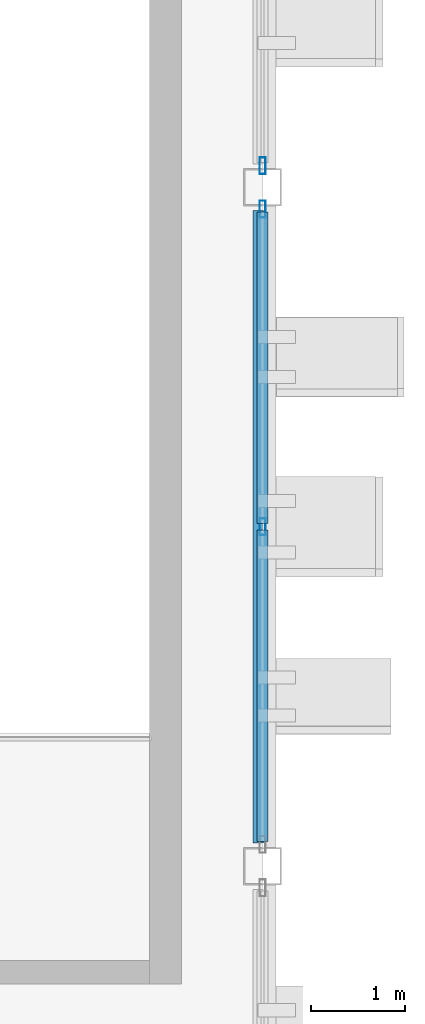
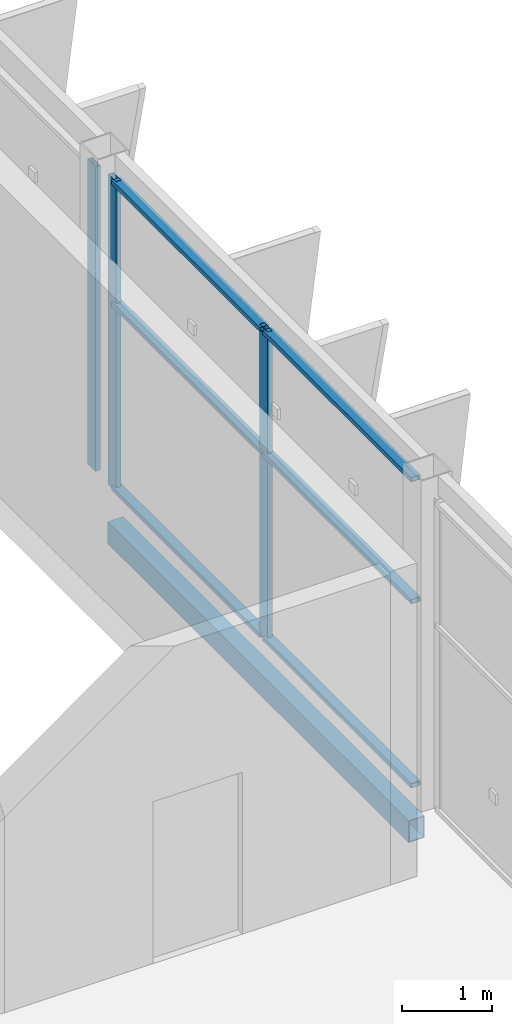
# One storey, part 85 of 151: 9 members, 1 beam, 2 elements without a shape of their own.
"""IFC4 building model written with IfcOpenShell, lengths in metres."""

from ifc_helpers import new_model, si_unit, direction, frame, origin, origin_2d, place, context, subcontext, project, spatial, hollow_rectangle, extrude, material, layer, layer_set, material_profile, profile_set, type_object, element, aggregate, save


model = new_model("IFC4")

# Units and contexts
model_context = context("Model", 3, precision=1e-05, world=origin(), true_north=direction((0.0, 1.0)))
body_context = subcontext(model_context, "Body", "Model", "MODEL_VIEW")
ifc_project = project(units=[si_unit("LENGTHUNIT", "METRE"), si_unit("AREAUNIT", "SQUARE_METRE"), si_unit("VOLUMEUNIT", "CUBIC_METRE"), si_unit("PLANEANGLEUNIT", "RADIAN"), si_unit("MASSUNIT", "GRAM", prefix="KILO")], contexts=[model_context])

# Site, building, storey
site_placement = place(None, origin())
site = spatial("IfcSite", under=ifc_project, at=site_placement, CompositionType="ELEMENT")
building_placement = place(site_placement, origin())
building = spatial("IfcBuilding", under=site, at=building_placement, Name="Celestram Park Convention Centre", CompositionType="ELEMENT")
storey_placement = place(building_placement, frame((0.0, 0.0, 10.800048828125)))
storey = spatial("IfcBuildingStorey", under=building, at=storey_placement, Name="L02", CompositionType="ELEMENT", Elevation=10.800048828125)

# Curtain wall, member
ifc_material_1 = material(Name="Anodised Aluminium Alloy 6063-T6", Category="aluminium")
ifc_layer_1 = layer(ifc_material_1, 0.179931640625)
ifc_layer_set_1 = layer_set([ifc_layer_1], Name="Anodised Aluminium Alloy 6063-T6")
curtain_wall_type_1 = type_object("IfcCurtainWallType", Name="ARC-CW-680X414", PredefinedType="NOTDEFINED", material=ifc_layer_set_1)
curtain_wall_1_placement = place(storey_placement, origin())
curtain_wall_1 = element("IfcCurtainWall", 1, at=curtain_wall_1_placement, inside=storey, type_object=curtain_wall_type_1, Name="Unitised curtain wall CU-L02-170", PredefinedType="NOTDEFINED")
ifc_material_profile_1 = material_profile(ifc_material_1, hollow_rectangle(XDim=0.06494140625, YDim=0.179931640625, WallThickness=0.00390625, at=origin_2d()), Name="ALU65X180X4")
ifc_profile_set_1 = profile_set([ifc_material_profile_1], Name="Anodised Aluminium Alloy 6063-T6")
member_type_1 = type_object("IfcMemberType", Name="ARC-CWM-150", PredefinedType="MULLION", material=ifc_profile_set_1)
member_1_placement = place(storey_placement, frame((216.0, 158.630615234375, 0.0), z_axis=(0.0, 0.0, 1.0), x_axis=(1.0, 0.0, 0.0)))
member_1 = element("IfcMember", 2, at=member_1_placement, type_object=member_type_1, Name="CW-68X41 mullion 3", PredefinedType="MULLION", context=body_context, shape_type="SweptSolid", body=[
    extrude(hollow_rectangle(XDim=0.06494140625, YDim=0.179931640625, WallThickness=0.00390625, at=origin_2d()), origin(), (0.0, 0.0, 1.0), 4.14404296875),
])
aggregate(curtain_wall_1, [member_1])

# Curtain wall, members
ifc_layer_2 = layer(ifc_material_1, 0.179931640625)
ifc_layer_set_2 = layer_set([ifc_layer_2], Name="Anodised Aluminium Alloy 6063-T6")
curtain_wall_type_2 = type_object("IfcCurtainWallType", Name="ARC-CW-680X422", PredefinedType="NOTDEFINED", material=ifc_layer_set_2)
curtain_wall_2_placement = place(storey_placement, origin())
curtain_wall_2 = element("IfcCurtainWall", 3, at=curtain_wall_2_placement, inside=storey, type_object=curtain_wall_type_2, Name="Unitised curtain wall CU-L02-171", PredefinedType="NOTDEFINED")
member_2_placement = place(storey_placement, frame((216.0, 158.16943359375, 0.0), z_axis=(0.0, 0.0, 1.0), x_axis=(1.0, 0.0, 0.0)))
member_2 = element("IfcMember", 4, at=member_2_placement, type_object=member_type_1, Name="CW-68X42 mullion 1", PredefinedType="MULLION", context=body_context, shape_type="SweptSolid", body=[
    extrude(hollow_rectangle(XDim=0.06494140625, YDim=0.179931640625, WallThickness=0.00390625, at=origin_2d()), origin(), (0.0, 0.0, 1.0), 4.219970703125),
])
member_3_placement = place(storey_placement, frame((216.0, 154.800048828125, 0.0), z_axis=(0.0, 0.0, 1.0), x_axis=(1.0, 0.0, 0.0)))
member_3 = element("IfcMember", 5, at=member_3_placement, type_object=member_type_1, Name="CW-68X42 mullion 2", PredefinedType="MULLION", context=body_context, shape_type="SweptSolid", body=[
    extrude(hollow_rectangle(XDim=0.06494140625, YDim=0.179931640625, WallThickness=0.00390625, at=origin_2d()), origin(), (0.0, 0.0, 1.0), 4.219970703125),
])
ifc_material_profile_2 = material_profile(ifc_material_1, hollow_rectangle(XDim=0.1201171875, YDim=0.06005859375, WallThickness=0.0029296875, at=origin_2d()), Name="ALU120X60X3")
ifc_profile_set_2 = profile_set([ifc_material_profile_2], Name="Anodised Aluminium Alloy 6063-T6")
member_type_2 = type_object("IfcMemberType", Name="ARC-CWT-120", PredefinedType="USERDEFINED", material=ifc_profile_set_2)
member_4_placement = place(storey_placement, frame((216.0, 158.136962890625, 0.030029296875), z_axis=(0.0, -1.0, 0.0), x_axis=(1.0, 0.0, 0.0)))
member_4 = element("IfcMember", 6, at=member_4_placement, type_object=member_type_2, Name="CW-68X42 transom 1.1", ObjectType="TRANSOM", PredefinedType="USERDEFINED", context=body_context, shape_type="SweptSolid", body=[
    extrude(hollow_rectangle(XDim=0.1201171875, YDim=0.06005859375, WallThickness=0.0029296875, at=origin_2d()), origin(), (0.0, 0.0, 1.0), 3.304443359375),
])
member_5_placement = place(storey_placement, frame((216.0, 158.136962890625, 2.531982421875), z_axis=(0.0, -1.0, 0.0), x_axis=(1.0, 0.0, 0.0)))
member_5 = element("IfcMember", 7, at=member_5_placement, type_object=member_type_2, Name="CW-68X42 transom 1.2", ObjectType="TRANSOM", PredefinedType="USERDEFINED", context=body_context, shape_type="SweptSolid", body=[
    extrude(hollow_rectangle(XDim=0.1201171875, YDim=0.06005859375, WallThickness=0.0029296875, at=origin_2d()), origin(), (0.0, 0.0, 1.0), 3.304443359375),
])
member_6_placement = place(storey_placement, frame((216.0, 158.136962890625, 4.18994140625), z_axis=(0.0, -1.0, 0.0), x_axis=(1.0, 0.0, 0.0)))
member_6 = element("IfcMember", 8, at=member_6_placement, type_object=member_type_2, Name="CW-68X42 transom 1.3", ObjectType="TRANSOM", PredefinedType="USERDEFINED", context=body_context, shape_type="SweptSolid", body=[
    extrude(hollow_rectangle(XDim=0.1201171875, YDim=0.06005859375, WallThickness=0.0029296875, at=origin_2d()), origin(), (0.0, 0.0, 1.0), 3.304443359375),
])
member_7_placement = place(storey_placement, frame((216.0, 154.767578125, 0.030029296875), z_axis=(0.0, -1.0, 0.0), x_axis=(1.0, 0.0, 0.0)))
member_7 = element("IfcMember", 9, at=member_7_placement, type_object=member_type_2, Name="CW-68X42 transom 2.1", ObjectType="TRANSOM", PredefinedType="USERDEFINED", context=body_context, shape_type="SweptSolid", body=[
    extrude(hollow_rectangle(XDim=0.1201171875, YDim=0.06005859375, WallThickness=0.0029296875, at=origin_2d()), origin(), (0.0, 0.0, 1.0), 3.3046875),
])
member_8_placement = place(storey_placement, frame((216.0, 154.767578125, 2.531982421875), z_axis=(0.0, -1.0, 0.0), x_axis=(1.0, 0.0, 0.0)))
member_8 = element("IfcMember", 10, at=member_8_placement, type_object=member_type_2, Name="CW-68X42 transom 2.2", ObjectType="TRANSOM", PredefinedType="USERDEFINED", context=body_context, shape_type="SweptSolid", body=[
    extrude(hollow_rectangle(XDim=0.1201171875, YDim=0.06005859375, WallThickness=0.0029296875, at=origin_2d()), origin(), (0.0, 0.0, 1.0), 3.3046875),
])
member_9_placement = place(storey_placement, frame((216.0, 154.767578125, 4.18994140625), z_axis=(0.0, -1.0, 0.0), x_axis=(1.0, 0.0, 0.0)))
member_9 = element("IfcMember", 11, at=member_9_placement, type_object=member_type_2, Name="CW-68X42 transom 2.3", ObjectType="TRANSOM", PredefinedType="USERDEFINED", context=body_context, shape_type="SweptSolid", body=[
    extrude(hollow_rectangle(XDim=0.1201171875, YDim=0.06005859375, WallThickness=0.0029296875, at=origin_2d()), origin(), (0.0, 0.0, 1.0), 3.3046875),
])
aggregate(curtain_wall_2, [member_2, member_3, member_4, member_5, member_6, member_7, member_8, member_9])

# Beam
ifc_material_2 = material(Name="Steel ASTM A500 Grade C", Category="steel")
ifc_material_profile_3 = material_profile(ifc_material_2, hollow_rectangle(XDim=0.199951171875, YDim=0.300048828125, WallThickness=0.011962890625, at=origin_2d()), Name="HSS300X200X12")
ifc_profile_set_3 = profile_set([ifc_material_profile_3], Name="Steel ASTM A500 Grade C")
beam_type = type_object("IfcBeamType", Name="STR-SPN-HSS300X200", PredefinedType="SPANDREL", material=ifc_profile_set_3)
beam_placement = place(storey_placement, frame((216.0, 151.447998046875, -0.570068359375), z_axis=(0.0, 1.0, 0.0), x_axis=(-1.0, 0.0, 0.0)))
element("IfcBeam", 12, at=beam_placement, inside=storey, type_object=beam_type, Name="Primary Y-girder BG-L02-0370", PredefinedType="SPANDREL", context=body_context, shape_type="SweptSolid", body=[
    extrude(hollow_rectangle(XDim=0.199951171875, YDim=0.300048828125, WallThickness=0.011962890625, at=origin_2d()), origin(), (0.0, 0.0, 1.0), 6.7041015625),
])

save(model, "model.ifc")
